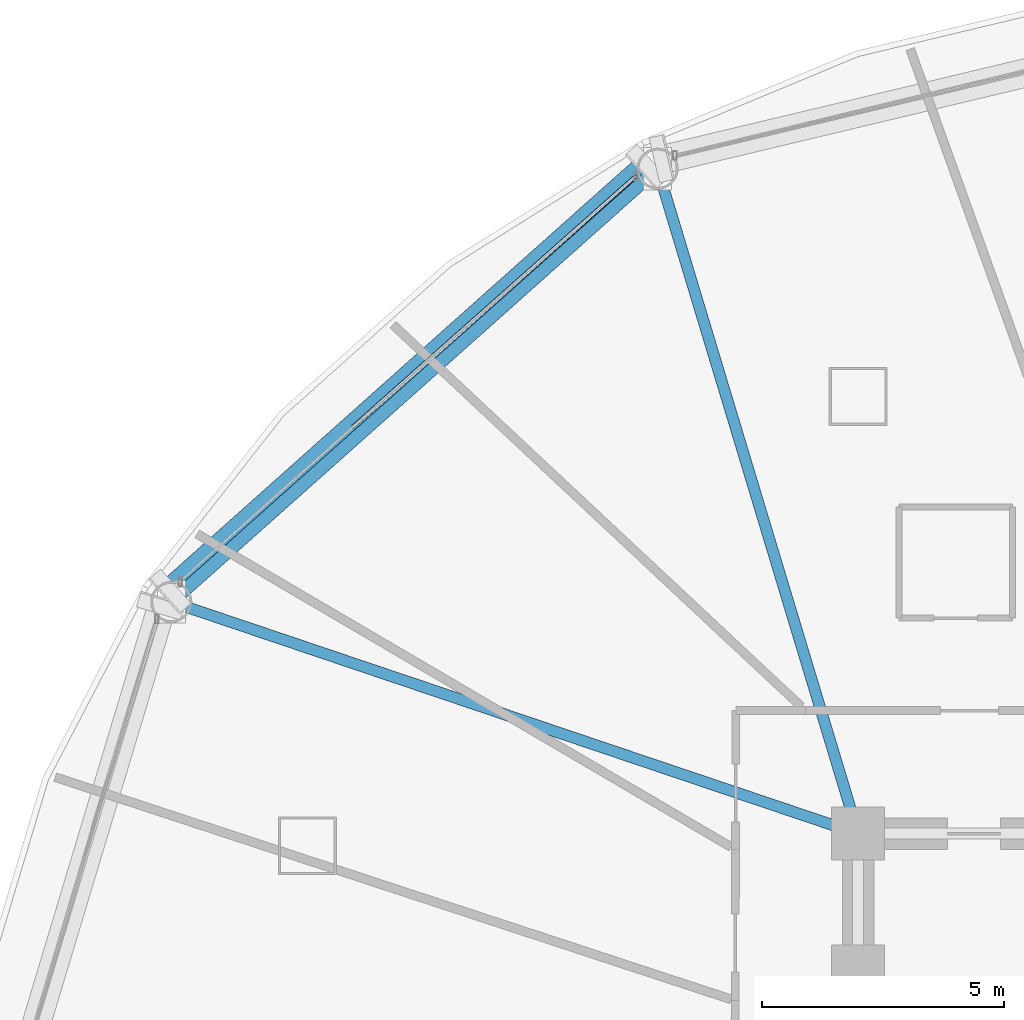
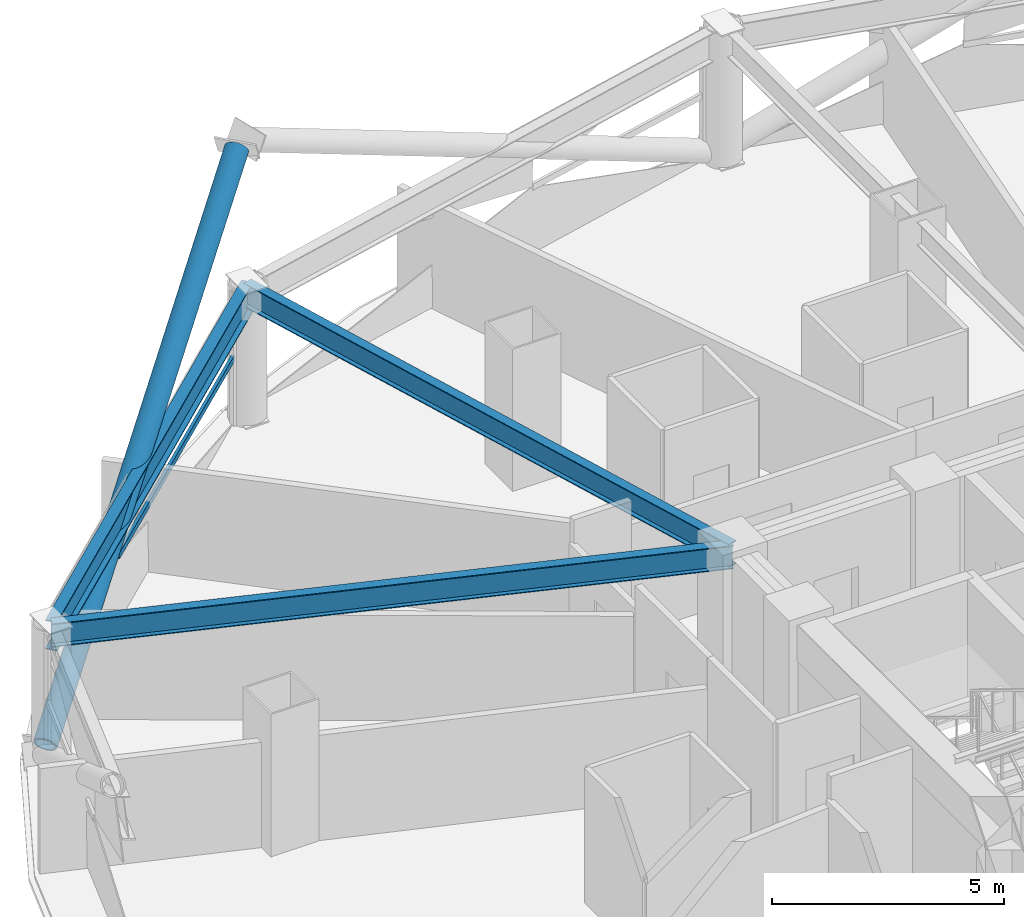
# One storey, part 14 of 30: 3 beams, 2 members, 1 element without a shape of its own.
"""IFC4 building model written with IfcOpenShell, lengths in metres."""

import ifcopenshell
import ifcopenshell.guid

model = None  # the IFC model being written
_history = None  # IfcOwnerHistory: only IFC2X3 demands one
_inside = {}  # id of a spatial element -> (the spatial element, [elements in it])
_under = {}  # id of a project, library or spatial element -> (it, [spatial elements below it])
_declared = {}  # id of a project -> (the project, [libraries it declares])
_typed = {}  # id of a type object -> (the type object, [elements of that type])
_made_of = {}  # id of a material, layer set ... -> (it, [elements and type objects made of it])


def new_model(schema):
    """Start an empty IFC model of exactly this schema.

    Asked for "IFC4X3", IfcOpenShell would pick the latest addendum, in which some entities
    have other attributes; the version numbers below select the first issue.
    IFC2X3 requires an IfcOwnerHistory on every rooted entity: one is made here for all.
    """
    global model, _history
    if schema == "IFC4X3":
        model = ifcopenshell.file(schema_version=(4, 3, 0, 0))
    else:
        model = ifcopenshell.file(schema=schema)
    _inside.clear()
    _under.clear()
    _declared.clear()
    _typed.clear()
    _made_of.clear()
    _history = None
    if model.schema == "IFC2X3":
        org = make("IfcOrganization", Name="unknown")
        user = make(
            "IfcPersonAndOrganization",
            ThePerson=make("IfcPerson", FamilyName="unknown"),
            TheOrganization=org,
        )
        app = make(
            "IfcApplication",
            ApplicationDeveloper=org,
            Version="unknown",
            ApplicationFullName="unknown",
            ApplicationIdentifier="unknown",
        )
        _history = make(
            "IfcOwnerHistory",
            OwningUser=user,
            OwningApplication=app,
            ChangeAction="ADDED",
            CreationDate=0,
        )
    return model


def make(cls, **values):
    """One entity of the class cls with the attributes given. An attribute that is None is left unset."""
    return model.create_entity(
        cls, **{name: value for name, value in values.items() if value is not None}
    )


def rooted(cls, **values):
    """An entity with a GlobalId (a new one), such as an element, a storey or a relation."""
    return make(cls, GlobalId=ifcopenshell.guid.new(), OwnerHistory=_history, **values)


def si_unit(unit_type, name, prefix=None):
    """IfcSIUnit, for example si_unit("LENGTHUNIT", "METRE", prefix="MILLI")."""
    return make("IfcSIUnit", UnitType=unit_type, Prefix=prefix, Name=name)


def assignment(units):
    """IfcUnitAssignment: the units of a project."""
    return None if units is None else make("IfcUnitAssignment", Units=units)


def point(xyz):
    """IfcCartesianPoint."""
    return None if xyz is None else make("IfcCartesianPoint", Coordinates=xyz)


def direction(xyz):
    """IfcDirection."""
    return None if xyz is None else make("IfcDirection", DirectionRatios=xyz)


def frame(location, z_axis=None, x_axis=None):
    """IfcAxis2Placement3D, a coordinate frame: its origin and axes. An axis left out is left unset."""
    return make(
        "IfcAxis2Placement3D",
        Location=point(location),
        Axis=direction(z_axis),
        RefDirection=direction(x_axis),
    )


def frame_2d(location, x_axis=None):
    """IfcAxis2Placement2D, a coordinate frame in the plane: its origin and x axis."""
    return make(
        "IfcAxis2Placement2D", Location=point(location), RefDirection=direction(x_axis)
    )


def origin():
    """The frame at (0, 0, 0) with its axes left unset."""
    return frame((0.0, 0.0, 0.0))


def origin_2d():
    """The frame at (0, 0) in the plane with its x axis left unset."""
    return frame_2d((0.0, 0.0))


def place(relative_to, where):
    """IfcLocalPlacement: puts the frame where relative to a parent placement (None: the world)."""
    return make(
        "IfcLocalPlacement", PlacementRelTo=relative_to, RelativePlacement=where
    )


def context(
    kind, dimensions, precision=None, world=None, true_north=None, identifier=None
):
    """IfcGeometricRepresentationContext, for example the 3D "Model" context."""
    return make(
        "IfcGeometricRepresentationContext",
        ContextIdentifier=identifier,
        ContextType=kind,
        CoordinateSpaceDimension=dimensions,
        Precision=precision,
        WorldCoordinateSystem=world,
        TrueNorth=true_north,
    )


def subcontext(parent, identifier, kind, view, scale=None):
    """IfcGeometricRepresentationSubContext, for example "Body" below "Model"."""
    return make(
        "IfcGeometricRepresentationSubContext",
        ContextIdentifier=identifier,
        ContextType=kind,
        ParentContext=parent,
        TargetScale=scale,
        TargetView=view,
    )


def project(units=None, contexts=None):
    """IfcProject with its units and contexts."""
    return rooted(
        "IfcProject",
        Name="project",
        RepresentationContexts=contexts,
        UnitsInContext=assignment(units),
    )


def spatial(cls, under=None, at=None, **own):
    """A site, building, storey or space (cls), placed at a placement, below another one or the project."""
    s = rooted(cls, ObjectPlacement=at, **own)
    if under is not None:
        _under.setdefault(under.id(), (under, []))[1].append(s)
    return s


def profile(cls, at=None, kind="AREA", **sizes):
    """A parametric profile (cls). Its sizes go by their IFC names, for example OverallWidth=200.0."""
    return make(cls, ProfileType=kind, Position=at, **sizes)


def hollow_rectangle(**sizes):
    """IfcRectangleHollowProfileDef."""
    return profile("IfcRectangleHollowProfileDef", **sizes)


def hollow_circle(**sizes):
    """IfcCircleHollowProfileDef."""
    return profile("IfcCircleHollowProfileDef", **sizes)


def i_section(**sizes):
    """IfcIShapeProfileDef."""
    return profile("IfcIShapeProfileDef", **sizes)


def extrude(swept, where, along, depth):
    """IfcExtrudedAreaSolid: the profile swept, set in the frame where, extruded along a direction by depth."""
    return make(
        "IfcExtrudedAreaSolid",
        SweptArea=swept,
        Position=where,
        ExtrudedDirection=direction(along),
        Depth=depth,
    )


def shape(context_of_items, identifier, shape_type, items):
    """IfcShapeRepresentation: the items that make up one representation, for example the "Body"."""
    return make(
        "IfcShapeRepresentation",
        ContextOfItems=context_of_items,
        RepresentationIdentifier=identifier,
        RepresentationType=shape_type,
        Items=items,
    )


def material(Name=None, Category=None):
    """IfcMaterial."""
    return make("IfcMaterial", Name=Name, Category=Category)


def layer(
    of_material, thickness, ventilated=None, Name=None, Category=None, Priority=None
):
    """IfcMaterialLayer: one layer of a wall or slab, of a material (None: an air gap)."""
    return make(
        "IfcMaterialLayer",
        Material=of_material,
        LayerThickness=thickness,
        IsVentilated=ventilated,
        Name=Name,
        Category=Category,
        Priority=Priority,
    )


def layer_set(layers, Name=None):
    """IfcMaterialLayerSet."""
    return make("IfcMaterialLayerSet", MaterialLayers=layers, LayerSetName=Name)


def material_profile(
    of_material, cross_section, Name=None, Category=None, Priority=None
):
    """IfcMaterialProfile: a cross section and its material."""
    return make(
        "IfcMaterialProfile",
        Name=Name,
        Material=of_material,
        Profile=cross_section,
        Priority=Priority,
        Category=Category,
    )


def profile_set(profiles, Name=None, composite=None):
    """IfcMaterialProfileSet."""
    return make(
        "IfcMaterialProfileSet",
        Name=Name,
        MaterialProfiles=profiles,
        CompositeProfile=composite,
    )


def made_of(thing, what):
    """Note that an element or type object is made of a material, layer set ...; save() writes the relation."""
    if what is not None:
        _made_of.setdefault(what.id(), (what, []))[1].append(thing)
    return thing


def type_object(cls, material=None, **own):
    """A type object (cls), such as IfcWallType, which elements share."""
    return made_of(rooted(cls, **own), material)


def element(
    cls,
    number,
    at=None,
    inside=None,
    cuts=None,
    type_object=None,
    material=None,
    context=None,
    identifier="Body",
    shape_type=None,
    held_by="IfcProductDefinitionShape",
    body=None,
    shapes=None,
    **own,
):
    """One element of the class cls, such as IfcWall. Its Tag is "e" and its number.

    at: its placement. inside: the storey or other place that contains it. cuts: it is an
    opening in that element (IfcRelVoidsElement). A single representation is given by context,
    identifier, shape_type and body (its items); several are given by shapes. held_by: the class
    of the entity that holds the representations. save() writes the other relations.
    """
    e = rooted(cls, Tag="e%d" % number, ObjectPlacement=at, **own)
    if body is not None:
        shapes = [shape(context, identifier, shape_type, body)]
    if shapes is not None:
        e.Representation = make(held_by, Representations=shapes)
    if inside is not None:
        _inside.setdefault(inside.id(), (inside, []))[1].append(e)
    if cuts is not None:
        rooted(
            "IfcRelVoidsElement", RelatingBuildingElement=cuts, RelatedOpeningElement=e
        )
    if type_object is not None:
        _typed.setdefault(type_object.id(), (type_object, []))[1].append(e)
    return made_of(e, material)


def aggregate(whole, parts):
    """IfcRelAggregates: a whole, such as a stair, and the parts it consists of."""
    return rooted("IfcRelAggregates", RelatingObject=whole, RelatedObjects=parts)


def save(model, path):
    """Write the relations noted so far, then the file.

    IfcRelAggregates (storeys below a building ...), IfcRelContainedInSpatialStructure (elements
    in a storey), IfcRelDefinesByType, IfcRelAssociatesMaterial and IfcRelDeclares: one each for
    every whole, place, type object, material and project.
    """
    for whole, parts in _under.values():
        aggregate(whole, parts)
    for where, things in _inside.values():
        rooted(
            "IfcRelContainedInSpatialStructure",
            RelatedElements=things,
            RelatingStructure=where,
        )
    for kind, things in _typed.values():
        rooted("IfcRelDefinesByType", RelatedObjects=things, RelatingType=kind)
    for what, things in _made_of.values():
        rooted("IfcRelAssociatesMaterial", RelatedObjects=things, RelatingMaterial=what)
    for by, libraries in _declared.values():
        rooted("IfcRelDeclares", RelatingContext=by, RelatedDefinitions=libraries)
    model.write(path)


model = new_model("IFC4")

# Units and contexts
model_context = context("Model", 3, precision=1e-05, world=origin(), true_north=direction((0.0, 1.0)))
body_context = subcontext(model_context, "Body", "Model", "MODEL_VIEW")
ifc_project = project(units=[si_unit("LENGTHUNIT", "METRE"), si_unit("AREAUNIT", "SQUARE_METRE"), si_unit("VOLUMEUNIT", "CUBIC_METRE"), si_unit("PLANEANGLEUNIT", "RADIAN"), si_unit("MASSUNIT", "GRAM", prefix="KILO")], contexts=[model_context])

# Site, building, storey
site_placement = place(None, origin())
site = spatial("IfcSite", under=ifc_project, at=site_placement, CompositionType="ELEMENT")
building_placement = place(site_placement, origin())
building = spatial("IfcBuilding", under=site, at=building_placement, Name="Vantalir Tower", CompositionType="ELEMENT")
storey_placement = place(building_placement, frame((0.0, 0.0, 79.5)))
storey = spatial("IfcBuildingStorey", under=building, at=storey_placement, Name="L19", CompositionType="ELEMENT", Elevation=79.5)

# Beams
ifc_material_1 = material(Name="Steel S355", Category="steel")
ifc_material_profile_1 = material_profile(ifc_material_1, i_section(OverallWidth=0.22998046875, OverallDepth=0.616943359375, WebThickness=0.01318359375, FlangeThickness=0.022216796875, at=origin_2d()), Name="Steel S355")
ifc_profile_set_1 = profile_set([ifc_material_profile_1], Name="Steel S355")
beam_type_1 = type_object("IfcBeamType", Name="BM-RB-610x229", PredefinedType="BEAM", material=ifc_profile_set_1)
beam_1_placement = place(storey_placement, frame((17.75, 46.212890625, 3.261962890625), z_axis=(0.288689161262, -0.957422878445, 0.0), x_axis=(0.957422878445, 0.288689161262, 0.0)))
element("IfcBeam", 1, at=beam_1_placement, inside=storey, type_object=beam_type_1, Name="L19 Radial Floor Beam 05", PredefinedType="BEAM", context=body_context, shape_type="SweptSolid", body=[
    extrude(i_section(OverallWidth=0.22998046875, OverallDepth=0.616943359375, WebThickness=0.01318359375, FlangeThickness=0.022216796875, at=origin_2d()), origin(), (0.0, 0.0, 1.0), 14.375),
])
beam_2_placement = place(storey_placement, frame((7.68408203125, 37.2470703125, 3.261962890625), z_axis=(0.947506822468, -0.319735549129, 0.0), x_axis=(0.319735549129, 0.947506822468, 0.0)))
element("IfcBeam", 2, at=beam_2_placement, inside=storey, type_object=beam_type_1, Name="L19 Radial Floor Beam 06", PredefinedType="BEAM", context=body_context, shape_type="SweptSolid", body=[
    extrude(i_section(OverallWidth=0.22998046875, OverallDepth=0.616943359375, WebThickness=0.01318359375, FlangeThickness=0.022216796875, at=origin_2d()), origin(), (0.0, 0.0, 1.0), 15.00341796875),
])
ifc_material_2 = material(Name="Steel S460", Category="steel")
ifc_material_profile_2 = material_profile(ifc_material_2, i_section(OverallWidth=0.26806640625, OverallDepth=0.77001953125, WebThickness=0.015625, FlangeThickness=0.025390625, at=origin_2d()), Name="Steel S460")
ifc_profile_set_2 = profile_set([ifc_material_profile_2], Name="Steel S460")
beam_type_2 = type_object("IfcBeamType", Name="BM-RG-762x267", PredefinedType="USERDEFINED", material=ifc_profile_set_2)
beam_3_placement = place(storey_placement, frame((17.75, 46.212890625, 3.18505859375), z_axis=(-0.746733439209, -0.665123425213, 0.0), x_axis=(0.665123425213, -0.746733439209, 0.0)))
element("IfcBeam", 3, at=beam_3_placement, inside=storey, type_object=beam_type_2, Name="L19 Circumferential Ring Girder 05", ObjectType="GIRDER", PredefinedType="USERDEFINED", context=body_context, shape_type="SweptSolid", body=[
    extrude(i_section(OverallWidth=0.26806640625, OverallDepth=0.77001953125, WebThickness=0.015625, FlangeThickness=0.025390625, at=origin_2d()), origin(), (0.0, 0.0, 1.0), 13.47998046875),
])

# Curtain wall, member
ifc_material_3 = material(Name="Champagne-silver PVDF aluminium and double-silver Low-E glass", Category="aluminium")
ifc_layer = layer(ifc_material_3, 0.18994140625)
ifc_layer_set = layer_set([ifc_layer], Name="Champagne-silver PVDF aluminium and double-silver Low-E glass")
curtain_wall_type = type_object("IfcCurtainWallType", Name="CW-DIAMOND-Z1", PredefinedType="USERDEFINED", material=ifc_layer_set)
curtain_wall_placement = place(storey_placement, origin())
curtain_wall = element("IfcCurtainWall", 4, at=curtain_wall_placement, inside=storey, type_object=curtain_wall_type, Name="L19 Quilted Pyramid-Diamond Curtain Wall S05", ObjectType="UNITISED CURTAIN WALL", PredefinedType="USERDEFINED")
ifc_material_4 = material(Name="Champagne-silver PVDF aluminium 6063-T6", Category="aluminium")
ifc_material_profile_3 = material_profile(ifc_material_4, hollow_rectangle(XDim=0.074951171875, YDim=0.159912109375, WallThickness=0.00390625, at=origin_2d()), Name="Champagne-silver PVDF aluminium 6063-T6")
ifc_profile_set_3 = profile_set([ifc_material_profile_3], Name="Champagne-silver PVDF aluminium 6063-T6")
member_type_1 = type_object("IfcMemberType", Name="CWT-160x75", PredefinedType="USERDEFINED", material=ifc_profile_set_3)
member_1_placement = place(storey_placement, frame((17.303955078125, 46.06494140625, 1.784912109375), z_axis=(-0.748427393447, -0.663216734362, 0.0), x_axis=(0.663216734362, -0.748427393447, 0.0)))
member_1 = element("IfcMember", 5, at=member_1_placement, type_object=member_type_1, Name="CW-L19-S05 Pyramid Fold Ridge Transom", ObjectType="TRANSOM", PredefinedType="USERDEFINED", context=body_context, shape_type="SweptSolid", body=[
    extrude(hollow_rectangle(XDim=0.074951171875, YDim=0.159912109375, WallThickness=0.00390625, at=origin_2d()), origin(), (0.0, 0.0, 1.0), 7.839111328125),
])
aggregate(curtain_wall, [member_1])

# Member
ifc_material_profile_4 = material_profile(ifc_material_2, hollow_circle(Radius=0.27001953125, WallThickness=0.044921875, at=origin_2d()), Name="Steel S460")
ifc_profile_set_4 = profile_set([ifc_material_profile_4], Name="Steel S460")
member_type_2 = type_object("IfcMemberType", Name="MEM-DB-540x45", PredefinedType="BRACE", material=ifc_profile_set_4)
member_2_placement = place(storey_placement, frame((7.6650390625, 37.471923828125, 0.18310546875), z_axis=(0.660305291948, 0.588617342335, 0.466397411793), x_axis=(-0.665423672812, 0.746465897186, 0.0)))
element("IfcMember", 6, at=member_2_placement, inside=storey, type_object=member_type_2, Name="L19 Perimeter S460 Diagrid Brace R16R", PredefinedType="BRACE", context=body_context, shape_type="SweptSolid", body=[
    extrude(hollow_circle(Radius=0.27001953125, WallThickness=0.044921875, at=origin_2d()), origin(), (0.0, 0.0, 1.0), 14.90966796875),
])

save(model, "model.ifc")
